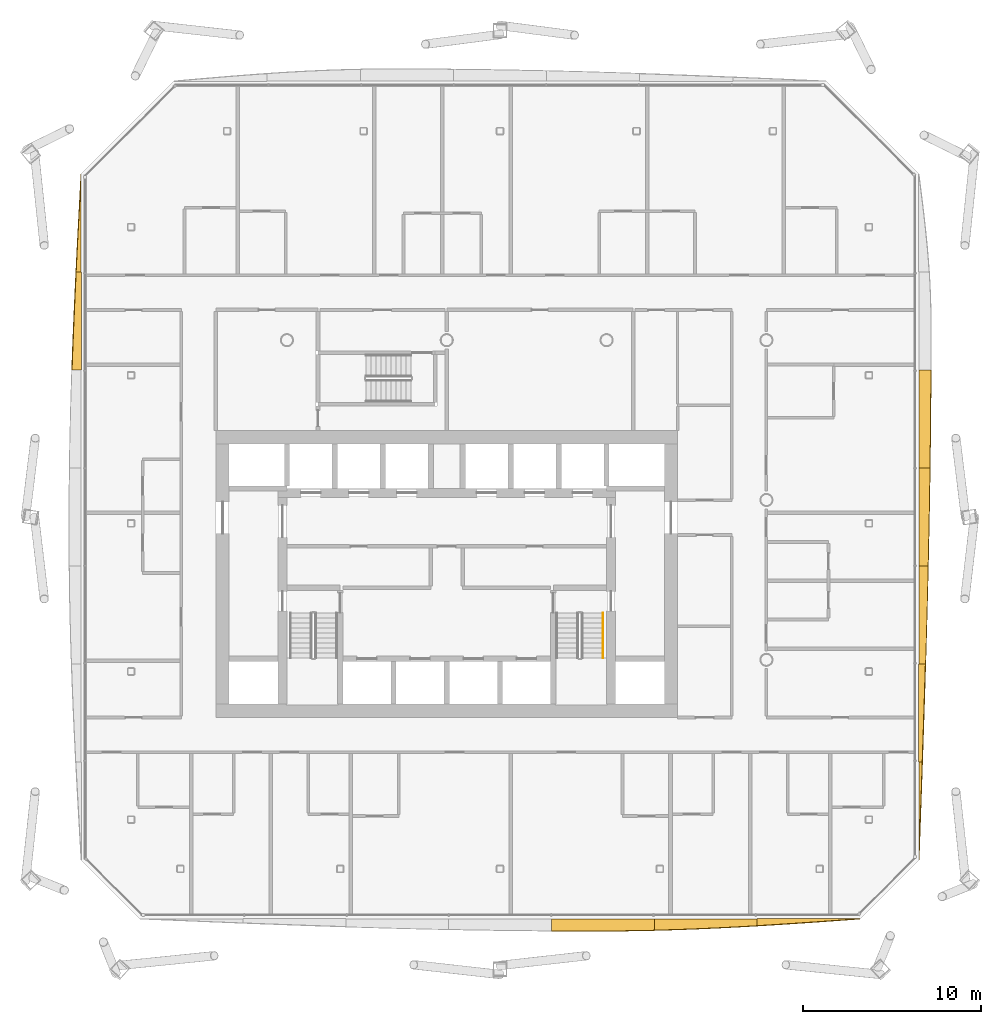
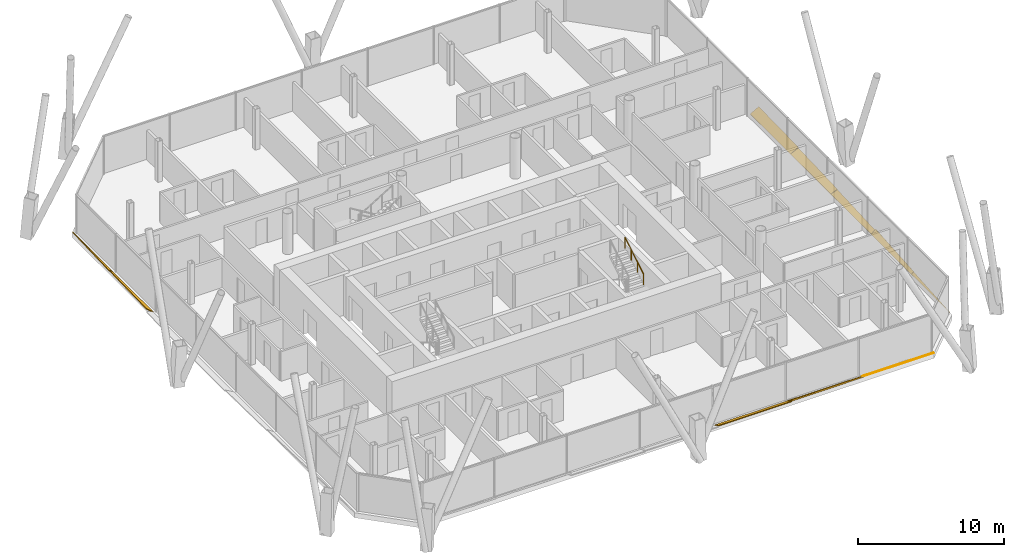
# One storey, part 20 of 22: 10 shading devices, 1 railing.
"""IFC4 building model written with IfcOpenShell, lengths in metres."""

from ifc_helpers import new_model, si_unit, direction, frame, origin, origin_2d, place, context, subcontext, project, spatial, polyline, circle, outline, extrude, material, layer, layer_set, type_object, element, save


model = new_model("IFC4")

# Units and contexts
model_context = context("Model", 3, precision=1e-05, world=origin(), true_north=direction((0.0, 1.0)))
body_context = subcontext(model_context, "Body", "Model", "MODEL_VIEW")
ifc_project = project(units=[si_unit("LENGTHUNIT", "METRE"), si_unit("AREAUNIT", "SQUARE_METRE"), si_unit("VOLUMEUNIT", "CUBIC_METRE"), si_unit("PLANEANGLEUNIT", "RADIAN"), si_unit("MASSUNIT", "GRAM", prefix="KILO")], contexts=[model_context])

# Site, building, storey
site_placement = place(None, origin())
site = spatial("IfcSite", under=ifc_project, at=site_placement, CompositionType="ELEMENT")
building_placement = place(site_placement, origin())
building = spatial("IfcBuilding", under=site, at=building_placement, Name="Tskaro Facet Tower", CompositionType="ELEMENT")
storey_placement = place(building_placement, frame((0.0, 0.0, 121.5)))
storey = spatial("IfcBuildingStorey", under=building, at=storey_placement, Name="L28", CompositionType="ELEMENT", Elevation=121.5)

# Shading devices
ifc_material_1 = material(Name="Bronze anodised aluminium 6063-T6", Category="aluminium")
ifc_layer = layer(ifc_material_1, 0.06005859375, Name="Bronze anodised aluminium 6063-T6")
ifc_layer_set = layer_set([ifc_layer], Name="Bronze anodised aluminium 6063-T6")
shading_device_type = type_object("IfcShadingDeviceType", Name="Bronze sun blade (FN1)", PredefinedType="USERDEFINED", material=ifc_layer_set)
shading_device_1_placement = place(storey_placement, frame((5.895751953125, -23.5869140625, 0.052001953125), z_axis=(-3.94483e-06, 0.499902400974, 0.866081745267), x_axis=(0.999999999992, 1.97203e-06, 3.416545e-06)))
element("IfcShadingDevice", 1, at=shading_device_1_placement, inside=storey, type_object=shading_device_type, Name="Fin blade south 5", ObjectType="FIN", PredefinedType="USERDEFINED", context=body_context, shape_type="SweptSolid", body=[
    extrude(outline(polyline([(0.0, 0.0), (5.791503906204937, 1.2263986556864327e-21), (5.791503906432441, -0.7402789802176576), (5.0673828122560005, -0.7585386731568616), (4.343505859253408, -0.7726503081402722), (3.619628906447001, -0.7822803929446832), (2.895751953002661, -0.787306881085481), (2.455566406354963, -0.7881853112704853), (2.171630859482172, -0.7881853112704853), (1.4477539062677156, -0.7867619431236827), (0.723876952958169, -0.7839152068300779), (3.498604820831323e-11, -0.7794336566510784), (0.0, 0.0)])), origin(), (0.0, 0.0, -1.0), 0.06005859375),
])
shading_device_2_placement = place(storey_placement, frame((11.687255859375, -23.58251953125, 0.049072265625), z_axis=(4.038476e-06, 0.573605736267, 0.819131527476), x_axis=(0.999999999992, -2.316493e-06, -3.308043e-06)))
element("IfcShadingDevice", 2, at=shading_device_2_placement, inside=storey, type_object=shading_device_type, Name="Fin blade south 6", ObjectType="FIN", PredefinedType="USERDEFINED", context=body_context, shape_type="SweptSolid", body=[
    extrude(outline(polyline([(0.0, 0.0), (5.791259765577775, -1.226346956898148e-21), (5.791259765672764, -0.47715859518077075), (5.0673828125894795, -0.5278205683957116), (4.343505859504089, -0.5755024255391852), (3.6196289060931197, -0.6196641595820811), (2.8955078122971227, -0.6605057538074761), (2.1716308592847002, -0.6971471774402258), (1.4477539061887763, -0.729928454226364), (0.723876953251429, -0.7585095604198568), (-9.289242466786095e-11, -0.7826905127376276), (0.0, 0.0)])), origin(), (0.0, 0.0, -1.0), 0.06005859375),
])
shading_device_3_placement = place(storey_placement, frame((17.478515625, -23.578369140625, 0.0458984375), z_axis=(1.0962904e-05, 0.64285363884, 0.765989033153), x_axis=(0.99999999994, -7.047543e-06, -8.397464e-06)))
element("IfcShadingDevice", 3, at=shading_device_3_placement, inside=storey, type_object=shading_device_type, Name="Fin blade south 7", ObjectType="FIN", PredefinedType="USERDEFINED", context=body_context, shape_type="SweptSolid", body=[
    extrude(outline(polyline([(0.0, 0.0), (5.7915039059019735, 0.0), (5.067626952327432, -0.06792638316176108), (4.343505858457475, -0.1355088105930346), (3.619628906201217, -0.20205937083284534), (2.895751952883508, -0.2677350105703726), (2.1718749994930606, -0.33150386261415354), (1.447998047750467, -0.3935529360054966), (0.7238769539191291, -0.4531642569312975), (-7.509823985729602e-10, -0.5103378253915563), (0.0, 0.0)])), origin(), (0.0, 0.0, -1.0), 0.06005859375),
])
shading_device_4_placement = place(storey_placement, frame((26.58251953125, -20.27001953125, 0.049072265625), z_axis=(-0.573806923246, 3.2396671e-05, 0.818990606652), x_axis=(1.8589434e-05, 0.999999999475, -2.6532569e-05)))
element("IfcShadingDevice", 4, at=shading_device_4_placement, inside=storey, type_object=shading_device_type, Name="Fin blade east 1", ObjectType="FIN", PredefinedType="USERDEFINED", context=body_context, shape_type="SweptSolid", body=[
    extrude(outline(polyline([(0.0, 0.0), (5.518066403354273, 9.347968102461766e-21), (5.518066409162002, -0.23596913975938907), (4.828369137675066, -0.20718809660395426), (4.13867187460505, -0.1779269254079489), (3.4489746050573564, -0.14880584379288772), (2.759033203301711, -0.11920463413725593), (2.069335935693259, -0.08974351406256835), (1.3796386700240495, -0.059942355528254374), (0.6896972637299678, -0.03014119699394039), (0.0, 0.0)])), origin(), (0.0, 0.0, -1.0), 0.06005859375),
])
shading_device_5_placement = place(storey_placement, frame((26.578369140625, -14.751953125, 0.0458984375), z_axis=(-0.642869518594, -7.621406e-06, 0.765975705884), x_axis=(-4.89957e-06, 0.999999999971, 5.837812e-06)))
element("IfcShadingDevice", 5, at=shading_device_5_placement, inside=storey, type_object=shading_device_type, Name="Fin blade east 2", ObjectType="FIN", PredefinedType="USERDEFINED", context=body_context, shape_type="SweptSolid", body=[
    extrude(outline(polyline([(0.0, 0.0), (5.518310546714733, 0.0), (5.5183105466721605, -0.483829806708585), (4.828369140925297, -0.45679082457393205), (4.138671875345302, -0.4290639297319944), (3.4489746093071796, -0.40064912218277215), (2.759277343039995, -0.3718903582799077), (2.069335937114938, -0.3426006322358259), (1.379638671585811, -0.3129669498381018), (0.689941407023805, -0.28280230529916056), (-1.0136880182581838e-09, -0.2523237596280844), (0.0, 0.0)])), origin(), (0.0, 0.0, -1.0), 0.06005859375),
])
shading_device_6_placement = place(storey_placement, frame((26.596435546875, -9.233642578125, 0.056396484375), z_axis=(-0.341897503957, -1.2811856e-05, 0.939737248716), x_axis=(-4.380342e-06, 0.999999999918, 1.2039778e-05)))
element("IfcShadingDevice", 6, at=shading_device_6_placement, inside=storey, type_object=shading_device_type, Name="Fin blade east 3", ObjectType="FIN", PredefinedType="USERDEFINED", context=body_context, shape_type="SweptSolid", body=[
    extrude(outline(polyline([(0.0, 0.0), (5.518066405797122, 0.0), (5.518066406774746, -0.5510565375405606), (4.82836913937247, -0.5335980821526826), (4.138427733484055, -0.5156807706862924), (3.4487304684894777, -0.4969917040318251), (2.7590332037637593, -0.47753088218928075), (2.069335937168061, -0.4577571612371715), (1.379394530216242, -0.4372116850969851), (0.6896972670976609, -0.4159779248390306), (-8.302987075474365e-10, -0.39434779440120227), (0.0, 0.0)])), origin(), (0.0, 0.0, -1.0), 0.06005859375),
])
shading_device_7_placement = place(storey_placement, frame((26.591552734375, -3.715576171875, 0.054443359375), z_axis=(-0.422480510535, -2.123337e-06, 0.906372008732), x_axis=(-8.97069e-07, 0.999999999998, 1.924534e-06)))
element("IfcShadingDevice", 7, at=shading_device_7_placement, inside=storey, type_object=shading_device_type, Name="Fin blade east 4", ObjectType="FIN", PredefinedType="USERDEFINED", context=body_context, shape_type="SweptSolid", body=[
    extrude(outline(polyline([(0.0, 0.0), (5.518066406237561, -1.1684960128077207e-21), (5.518066406419526, -0.6869086790283296), (4.828369140816413, -0.6753306500765964), (4.138671874930619, -0.6628824851269931), (3.448730468607001, -0.6496673288354126), (2.7590332030955587, -0.6356851812018547), (2.069335937520447, -0.6206116153417319), (1.3796386719134996, -0.6049923403683268), (0.689697265398872, -0.5885029293970517), (1.662765008349893e-10, -0.5713496717396919), (0.0, 0.0)])), origin(), (0.0, 0.0, -1.0), 0.06005859375),
])
shading_device_8_placement = place(storey_placement, frame((26.5869140625, 1.802490234375, 0.052001953125), z_axis=(-0.499884584068, -5.86585e-07, 0.86609202895), x_axis=(-2.93225e-07, 1.0, 5.08036e-07)))
element("IfcShadingDevice", 8, at=shading_device_8_placement, inside=storey, type_object=shading_device_type, Name="Fin blade east 5", ObjectType="FIN", PredefinedType="USERDEFINED", context=body_context, shape_type="SweptSolid", body=[
    extrude(outline(polyline([(0.0, 0.0), (5.518310546874051, 0.0), (5.518310546902816, -0.780857023954328), (4.828369140610464, -0.7765869210024564), (4.1386718749814, -0.7712269407839987), (3.448974609319036, -0.7649885315482102), (2.759033203069959, -0.7576602450458356), (2.0693359374841704, -0.7492420812768747), (1.3796386719175247, -0.7402789788746209), (0.6899414063367226, -0.7298925088217432), (2.6032163848610692e-11, -0.7188390580007902), (0.0, 0.0)])), origin(), (0.0, 0.0, -1.0), 0.06005859375),
])
shading_device_9_placement = place(storey_placement, frame((-20.58251953125, 18.35693359375, 0.049072265625), z_axis=(0.573692818446, -1.0605635e-05, 0.819070540278), x_axis=(-6.084377e-06, -0.999999999944, -8.686763e-06)))
element("IfcShadingDevice", 9, at=shading_device_9_placement, inside=storey, type_object=shading_device_type, Name="Fin blade west 1", ObjectType="FIN", PredefinedType="USERDEFINED", context=body_context, shape_type="SweptSolid", body=[
    extrude(outline(polyline([(0.0, 0.0), (5.518066405939666, 4.673984051230883e-21), (5.518066406559497, -0.34989363064682066), (4.82836914021344, -0.3085120367753822), (4.1384277351484435, -0.2661103525532585), (3.4487304683728928, -0.22296870142697228), (2.7590332028680398, -0.17914699006689594), (2.069335936513091, -0.1347852801962908), (1.3793945301685042, -0.09008354020879059), (0.6896972665696957, -0.045241738498029004), (0.0, 0.0)])), origin(), (0.0, 0.0, -1.0), 0.06005859375),
])
shading_device_10_placement = place(storey_placement, frame((-20.578369140625, 12.8388671875, 0.0458984375), z_axis=(0.642804004017, -2.958238e-06, 0.766030686338), x_axis=(-1.901567e-06, -0.999999999996, -2.266101e-06)))
element("IfcShadingDevice", 10, at=shading_device_10_placement, inside=storey, type_object=shading_device_type, Name="Fin blade west 2", ObjectType="FIN", PredefinedType="USERDEFINED", context=body_context, shape_type="SweptSolid", body=[
    extrude(outline(polyline([(0.0, 0.0), (5.518066406225855, 1.1684960128077207e-21), (5.5180664063359695, -0.6791369511181988), (4.82836914085078, -0.6469085722944372), (4.138671875346327, -0.6127734053510114), (3.4487304686443676, -0.576888384859215), (2.7590332030123936, -0.5392835954582867), (2.06933593727216, -0.5001159717195206), (1.379638671423667, -0.4593855136429164), (0.6896972657704148, -0.4174662596495392), (8.06543518345384e-11, -0.3741411058896179), (0.0, 0.0)])), origin(), (0.0, 0.0, -1.0), 0.06005859375),
])

# Railing
ifc_material_2 = material(Name="Stainless steel", Category="steel")
railing_type = type_object("IfcRailingType", Name="RL-HANDRAIL-900", PredefinedType="HANDRAIL", material=ifc_material_2)
railing_placement = place(storey_placement, frame((8.800048828125, -8.89501953125, 1.8701171875)))
element("IfcRailing", 11, at=railing_placement, inside=storey, type_object=railing_type, Name="L28 ST-2 stair handrail 2", PredefinedType="HANDRAIL", context=body_context, shape_type="SweptSolid", body=[
    extrude(circle(Radius=0.02392578125, at=origin_2d()), frame((0.0, 0.0, 0.8759765625), z_axis=(0.0, 0.854821627497, 0.518921945155), x_axis=(-1.0, 0.0, 0.0)), (0.0, 0.0, 1.0), 2.947998046875),
    extrude(circle(Radius=0.02099609375, at=origin_2d()), origin(), (0.0, 0.0, 1.0), 0.851806640625),
    extrude(circle(Radius=0.02099609375, at=origin_2d()), frame((0.0, 0.840087890625, 0.510009765625)), (0.0, 0.0, 1.0), 0.851806640625),
    extrude(circle(Radius=0.02099609375, at=origin_2d()), frame((0.0, 1.679931640625, 1.019775390625)), (0.0, 0.0, 1.0), 0.851806640625),
    extrude(circle(Radius=0.02099609375, at=origin_2d()), frame((0.0, 2.52001953125, 1.52978515625)), (0.0, 0.0, 1.0), 0.851806640625),
])

save(model, "model.ifc")
